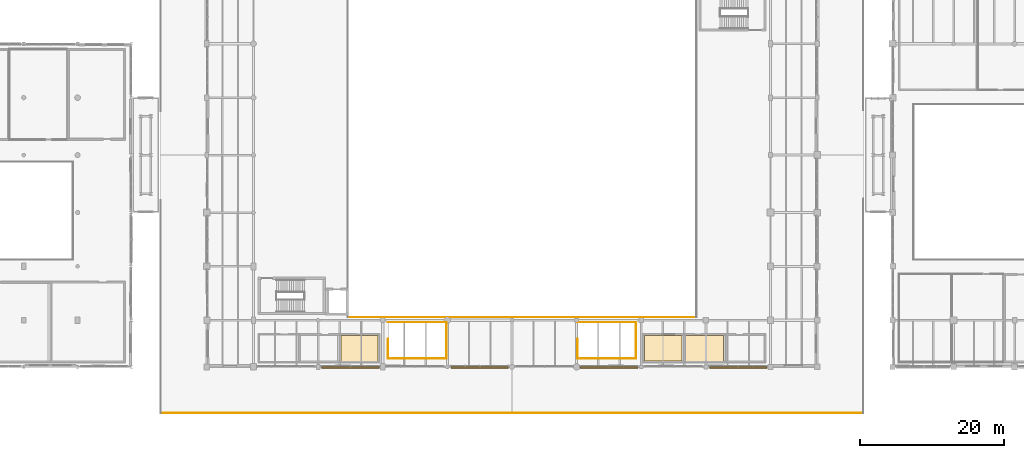
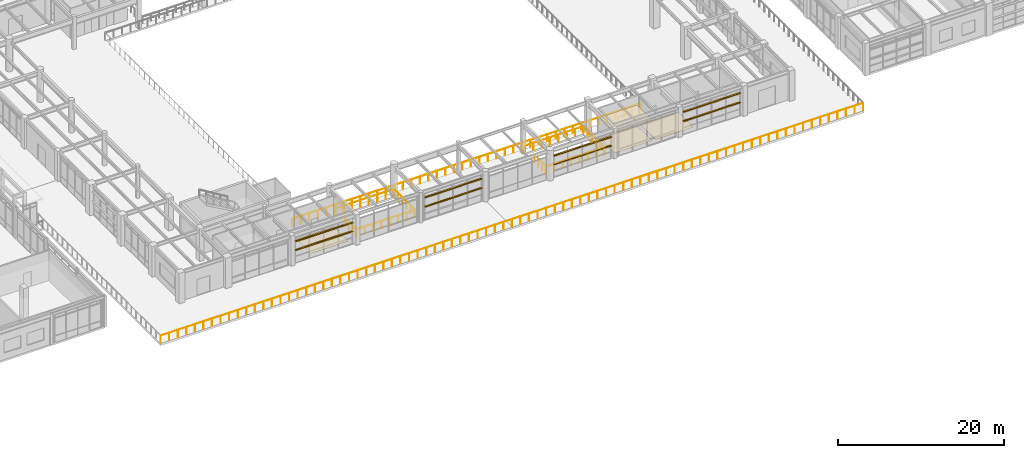
# One storey, part 192 of 200: 10 railings, 8 shading devices, 4 coverings.
"""IFC4 building model written with IfcOpenShell, lengths in metres."""

import ifcopenshell
import ifcopenshell.guid

model = None  # the IFC model being written
_history = None  # IfcOwnerHistory: only IFC2X3 demands one
_inside = {}  # id of a spatial element -> (the spatial element, [elements in it])
_under = {}  # id of a project, library or spatial element -> (it, [spatial elements below it])
_declared = {}  # id of a project -> (the project, [libraries it declares])
_typed = {}  # id of a type object -> (the type object, [elements of that type])
_made_of = {}  # id of a material, layer set ... -> (it, [elements and type objects made of it])


def new_model(schema):
    """Start an empty IFC model of exactly this schema.

    Asked for "IFC4X3", IfcOpenShell would pick the latest addendum, in which some entities
    have other attributes; the version numbers below select the first issue.
    IFC2X3 requires an IfcOwnerHistory on every rooted entity: one is made here for all.
    """
    global model, _history
    if schema == "IFC4X3":
        model = ifcopenshell.file(schema_version=(4, 3, 0, 0))
    else:
        model = ifcopenshell.file(schema=schema)
    _inside.clear()
    _under.clear()
    _declared.clear()
    _typed.clear()
    _made_of.clear()
    _history = None
    if model.schema == "IFC2X3":
        org = make("IfcOrganization", Name="unknown")
        user = make(
            "IfcPersonAndOrganization",
            ThePerson=make("IfcPerson", FamilyName="unknown"),
            TheOrganization=org,
        )
        app = make(
            "IfcApplication",
            ApplicationDeveloper=org,
            Version="unknown",
            ApplicationFullName="unknown",
            ApplicationIdentifier="unknown",
        )
        _history = make(
            "IfcOwnerHistory",
            OwningUser=user,
            OwningApplication=app,
            ChangeAction="ADDED",
            CreationDate=0,
        )
    return model


def make(cls, **values):
    """One entity of the class cls with the attributes given. An attribute that is None is left unset."""
    return model.create_entity(
        cls, **{name: value for name, value in values.items() if value is not None}
    )


def rooted(cls, **values):
    """An entity with a GlobalId (a new one), such as an element, a storey or a relation."""
    return make(cls, GlobalId=ifcopenshell.guid.new(), OwnerHistory=_history, **values)


def si_unit(unit_type, name, prefix=None):
    """IfcSIUnit, for example si_unit("LENGTHUNIT", "METRE", prefix="MILLI")."""
    return make("IfcSIUnit", UnitType=unit_type, Prefix=prefix, Name=name)


def assignment(units):
    """IfcUnitAssignment: the units of a project."""
    return None if units is None else make("IfcUnitAssignment", Units=units)


def point(xyz):
    """IfcCartesianPoint."""
    return None if xyz is None else make("IfcCartesianPoint", Coordinates=xyz)


def direction(xyz):
    """IfcDirection."""
    return None if xyz is None else make("IfcDirection", DirectionRatios=xyz)


def frame(location, z_axis=None, x_axis=None):
    """IfcAxis2Placement3D, a coordinate frame: its origin and axes. An axis left out is left unset."""
    return make(
        "IfcAxis2Placement3D",
        Location=point(location),
        Axis=direction(z_axis),
        RefDirection=direction(x_axis),
    )


def frame_2d(location, x_axis=None):
    """IfcAxis2Placement2D, a coordinate frame in the plane: its origin and x axis."""
    return make(
        "IfcAxis2Placement2D", Location=point(location), RefDirection=direction(x_axis)
    )


def origin():
    """The frame at (0, 0, 0) with its axes left unset."""
    return frame((0.0, 0.0, 0.0))


def origin_2d():
    """The frame at (0, 0) in the plane with its x axis left unset."""
    return frame_2d((0.0, 0.0))


def place(relative_to, where):
    """IfcLocalPlacement: puts the frame where relative to a parent placement (None: the world)."""
    return make(
        "IfcLocalPlacement", PlacementRelTo=relative_to, RelativePlacement=where
    )


def context(
    kind, dimensions, precision=None, world=None, true_north=None, identifier=None
):
    """IfcGeometricRepresentationContext, for example the 3D "Model" context."""
    return make(
        "IfcGeometricRepresentationContext",
        ContextIdentifier=identifier,
        ContextType=kind,
        CoordinateSpaceDimension=dimensions,
        Precision=precision,
        WorldCoordinateSystem=world,
        TrueNorth=true_north,
    )


def subcontext(parent, identifier, kind, view, scale=None):
    """IfcGeometricRepresentationSubContext, for example "Body" below "Model"."""
    return make(
        "IfcGeometricRepresentationSubContext",
        ContextIdentifier=identifier,
        ContextType=kind,
        ParentContext=parent,
        TargetScale=scale,
        TargetView=view,
    )


def project(units=None, contexts=None):
    """IfcProject with its units and contexts."""
    return rooted(
        "IfcProject",
        Name="project",
        RepresentationContexts=contexts,
        UnitsInContext=assignment(units),
    )


def spatial(cls, under=None, at=None, **own):
    """A site, building, storey or space (cls), placed at a placement, below another one or the project."""
    s = rooted(cls, ObjectPlacement=at, **own)
    if under is not None:
        _under.setdefault(under.id(), (under, []))[1].append(s)
    return s


def polyline(points):
    """IfcPolyline through the points."""
    return make("IfcPolyline", Points=[point(p) for p in points])


def profile(cls, at=None, kind="AREA", **sizes):
    """A parametric profile (cls). Its sizes go by their IFC names, for example OverallWidth=200.0."""
    return make(cls, ProfileType=kind, Position=at, **sizes)


def rectangle(**sizes):
    """IfcRectangleProfileDef."""
    return profile("IfcRectangleProfileDef", **sizes)


def circle(**sizes):
    """IfcCircleProfileDef."""
    return profile("IfcCircleProfileDef", **sizes)


def outline(outer, holes=None, kind="AREA"):
    """IfcArbitraryClosedProfileDef: a profile drawn as a closed curve; with holes, ...WithVoids."""
    if holes is None:
        return make("IfcArbitraryClosedProfileDef", ProfileType=kind, OuterCurve=outer)
    return make(
        "IfcArbitraryProfileDefWithVoids",
        ProfileType=kind,
        OuterCurve=outer,
        InnerCurves=holes,
    )


def extrude(swept, where, along, depth):
    """IfcExtrudedAreaSolid: the profile swept, set in the frame where, extruded along a direction by depth."""
    return make(
        "IfcExtrudedAreaSolid",
        SweptArea=swept,
        Position=where,
        ExtrudedDirection=direction(along),
        Depth=depth,
    )


def shape(context_of_items, identifier, shape_type, items):
    """IfcShapeRepresentation: the items that make up one representation, for example the "Body"."""
    return make(
        "IfcShapeRepresentation",
        ContextOfItems=context_of_items,
        RepresentationIdentifier=identifier,
        RepresentationType=shape_type,
        Items=items,
    )


def material(Name=None, Category=None):
    """IfcMaterial."""
    return make("IfcMaterial", Name=Name, Category=Category)


def layer(
    of_material, thickness, ventilated=None, Name=None, Category=None, Priority=None
):
    """IfcMaterialLayer: one layer of a wall or slab, of a material (None: an air gap)."""
    return make(
        "IfcMaterialLayer",
        Material=of_material,
        LayerThickness=thickness,
        IsVentilated=ventilated,
        Name=Name,
        Category=Category,
        Priority=Priority,
    )


def layer_set(layers, Name=None):
    """IfcMaterialLayerSet."""
    return make("IfcMaterialLayerSet", MaterialLayers=layers, LayerSetName=Name)


def made_of(thing, what):
    """Note that an element or type object is made of a material, layer set ...; save() writes the relation."""
    if what is not None:
        _made_of.setdefault(what.id(), (what, []))[1].append(thing)
    return thing


def type_object(cls, material=None, **own):
    """A type object (cls), such as IfcWallType, which elements share."""
    return made_of(rooted(cls, **own), material)


def element(
    cls,
    number,
    at=None,
    inside=None,
    cuts=None,
    type_object=None,
    material=None,
    context=None,
    identifier="Body",
    shape_type=None,
    held_by="IfcProductDefinitionShape",
    body=None,
    shapes=None,
    **own,
):
    """One element of the class cls, such as IfcWall. Its Tag is "e" and its number.

    at: its placement. inside: the storey or other place that contains it. cuts: it is an
    opening in that element (IfcRelVoidsElement). A single representation is given by context,
    identifier, shape_type and body (its items); several are given by shapes. held_by: the class
    of the entity that holds the representations. save() writes the other relations.
    """
    e = rooted(cls, Tag="e%d" % number, ObjectPlacement=at, **own)
    if body is not None:
        shapes = [shape(context, identifier, shape_type, body)]
    if shapes is not None:
        e.Representation = make(held_by, Representations=shapes)
    if inside is not None:
        _inside.setdefault(inside.id(), (inside, []))[1].append(e)
    if cuts is not None:
        rooted(
            "IfcRelVoidsElement", RelatingBuildingElement=cuts, RelatedOpeningElement=e
        )
    if type_object is not None:
        _typed.setdefault(type_object.id(), (type_object, []))[1].append(e)
    return made_of(e, material)


def aggregate(whole, parts):
    """IfcRelAggregates: a whole, such as a stair, and the parts it consists of."""
    return rooted("IfcRelAggregates", RelatingObject=whole, RelatedObjects=parts)


def save(model, path):
    """Write the relations noted so far, then the file.

    IfcRelAggregates (storeys below a building ...), IfcRelContainedInSpatialStructure (elements
    in a storey), IfcRelDefinesByType, IfcRelAssociatesMaterial and IfcRelDeclares: one each for
    every whole, place, type object, material and project.
    """
    for whole, parts in _under.values():
        aggregate(whole, parts)
    for where, things in _inside.values():
        rooted(
            "IfcRelContainedInSpatialStructure",
            RelatedElements=things,
            RelatingStructure=where,
        )
    for kind, things in _typed.values():
        rooted("IfcRelDefinesByType", RelatedObjects=things, RelatingType=kind)
    for what, things in _made_of.values():
        rooted("IfcRelAssociatesMaterial", RelatedObjects=things, RelatingMaterial=what)
    for by, libraries in _declared.values():
        rooted("IfcRelDeclares", RelatingContext=by, RelatedDefinitions=libraries)
    model.write(path)


model = new_model("IFC4")

# Units and contexts
model_context = context("Model", 3, precision=1e-05, world=origin(), true_north=direction((0.0, 1.0)))
body_context = subcontext(model_context, "Body", "Model", "MODEL_VIEW")
ifc_project = project(units=[si_unit("LENGTHUNIT", "METRE"), si_unit("AREAUNIT", "SQUARE_METRE"), si_unit("VOLUMEUNIT", "CUBIC_METRE"), si_unit("PLANEANGLEUNIT", "RADIAN"), si_unit("MASSUNIT", "GRAM", prefix="KILO"), si_unit("THERMODYNAMICTEMPERATUREUNIT", "KELVIN"), si_unit("POWERUNIT", "WATT")], contexts=[model_context])

# Site, building, storey
site_placement = place(None, origin())
site = spatial("IfcSite", under=ifc_project, at=site_placement, CompositionType="ELEMENT")
building_placement = place(site_placement, origin())
building = spatial("IfcBuilding", under=site, at=building_placement, Name="Tepalcoro Natatorium and Aquatics Centre", CompositionType="ELEMENT")
storey_placement = place(building_placement, frame((0.0, 0.0, 5.39990234375)))
storey = spatial("IfcBuildingStorey", under=building, at=storey_placement, Name="L01", CompositionType="ELEMENT", Elevation=5.39990234375)

# Railing
ifc_material_1 = material(Name="Marine-Grade Brushed Stainless Steel AISI 316L", Category="steel")
railing_type_1 = type_object("IfcRailingType", Name="BL_GLASS_1100", PredefinedType="BALUSTRADE", material=ifc_material_1)
railing_1_placement = place(storey_placement, frame((66.1201171875, 13.419921875, 0.0)))
element("IfcRailing", 1, at=railing_1_placement, inside=storey, type_object=railing_type_1, Name="V1 L01 Natatorium Pool Hall Overlook Balustrade (S)", PredefinedType="BALUSTRADE", context=body_context, shape_type="SweptSolid", body=[
    extrude(circle(Radius=0.02392578125, at=origin_2d()), frame((0.0, 0.0, 1.09619140625), z_axis=(1.0, 0.0, 0.0), x_axis=(0.0, 1.0, 0.0)), (0.0, 0.0, 1.0), 48.559814453125),
    extrude(circle(Radius=0.02099609375, at=origin_2d()), origin(), (0.0, 0.0, 1.0), 1.072021484375),
    extrude(circle(Radius=0.02099609375, at=origin_2d()), frame((1.184326171875, 0.0, 0.0)), (0.0, 0.0, 1.0), 1.072021484375),
    extrude(circle(Radius=0.02099609375, at=origin_2d()), frame((2.36865234375, 0.0, 0.0)), (0.0, 0.0, 1.0), 1.072021484375),
    extrude(circle(Radius=0.02099609375, at=origin_2d()), frame((3.55322265625, 0.0, 0.0)), (0.0, 0.0, 1.0), 1.072021484375),
    extrude(circle(Radius=0.02099609375, at=origin_2d()), frame((4.737548828125, 0.0, 0.0)), (0.0, 0.0, 1.0), 1.072021484375),
    extrude(circle(Radius=0.02099609375, at=origin_2d()), frame((5.921875, 0.0, 0.0)), (0.0, 0.0, 1.0), 1.072021484375),
    extrude(circle(Radius=0.02099609375, at=origin_2d()), frame((7.106201171875, 0.0, 0.0)), (0.0, 0.0, 1.0), 1.072021484375),
    extrude(circle(Radius=0.02099609375, at=origin_2d()), frame((8.290771484375, 0.0, 0.0)), (0.0, 0.0, 1.0), 1.072021484375),
    extrude(circle(Radius=0.02099609375, at=origin_2d()), frame((9.47509765625, 0.0, 0.0)), (0.0, 0.0, 1.0), 1.072021484375),
    extrude(circle(Radius=0.02099609375, at=origin_2d()), frame((10.659423828125, 0.0, 0.0)), (0.0, 0.0, 1.0), 1.072021484375),
    extrude(circle(Radius=0.02099609375, at=origin_2d()), frame((11.84375, 0.0, 0.0)), (0.0, 0.0, 1.0), 1.072021484375),
    extrude(circle(Radius=0.02099609375, at=origin_2d()), frame((13.0283203125, 0.0, 0.0)), (0.0, 0.0, 1.0), 1.072021484375),
    extrude(circle(Radius=0.02099609375, at=origin_2d()), frame((14.212646484375, 0.0, 0.0)), (0.0, 0.0, 1.0), 1.072021484375),
    extrude(circle(Radius=0.02099609375, at=origin_2d()), frame((15.39697265625, 0.0, 0.0)), (0.0, 0.0, 1.0), 1.072021484375),
    extrude(circle(Radius=0.02099609375, at=origin_2d()), frame((16.581298828125, 0.0, 0.0)), (0.0, 0.0, 1.0), 1.072021484375),
    extrude(circle(Radius=0.02099609375, at=origin_2d()), frame((17.765869140625, 0.0, 0.0)), (0.0, 0.0, 1.0), 1.072021484375),
    extrude(circle(Radius=0.02099609375, at=origin_2d()), frame((18.9501953125, 0.0, 0.0)), (0.0, 0.0, 1.0), 1.072021484375),
    extrude(circle(Radius=0.02099609375, at=origin_2d()), frame((20.134521484375, 0.0, 0.0)), (0.0, 0.0, 1.0), 1.072021484375),
    extrude(circle(Radius=0.02099609375, at=origin_2d()), frame((21.31884765625, 0.0, 0.0)), (0.0, 0.0, 1.0), 1.072021484375),
    extrude(circle(Radius=0.02099609375, at=origin_2d()), frame((22.50341796875, 0.0, 0.0)), (0.0, 0.0, 1.0), 1.072021484375),
    extrude(circle(Radius=0.02099609375, at=origin_2d()), frame((23.687744140625, 0.0, 0.0)), (0.0, 0.0, 1.0), 1.072021484375),
    extrude(circle(Radius=0.02099609375, at=origin_2d()), frame((24.8720703125, 0.0, 0.0)), (0.0, 0.0, 1.0), 1.072021484375),
    extrude(circle(Radius=0.02099609375, at=origin_2d()), frame((26.056396484375, 0.0, 0.0)), (0.0, 0.0, 1.0), 1.072021484375),
    extrude(circle(Radius=0.02099609375, at=origin_2d()), frame((27.240966796875, 0.0, 0.0)), (0.0, 0.0, 1.0), 1.072021484375),
    extrude(circle(Radius=0.02099609375, at=origin_2d()), frame((28.42529296875, 0.0, 0.0)), (0.0, 0.0, 1.0), 1.072021484375),
    extrude(circle(Radius=0.02099609375, at=origin_2d()), frame((29.609619140625, 0.0, 0.0)), (0.0, 0.0, 1.0), 1.072021484375),
    extrude(circle(Radius=0.02099609375, at=origin_2d()), frame((30.7939453125, 0.0, 0.0)), (0.0, 0.0, 1.0), 1.072021484375),
    extrude(circle(Radius=0.02099609375, at=origin_2d()), frame((31.978515625, 0.0, 0.0)), (0.0, 0.0, 1.0), 1.072021484375),
    extrude(circle(Radius=0.02099609375, at=origin_2d()), frame((33.162841796875, 0.0, 0.0)), (0.0, 0.0, 1.0), 1.072021484375),
    extrude(circle(Radius=0.02099609375, at=origin_2d()), frame((34.34716796875, 0.0, 0.0)), (0.0, 0.0, 1.0), 1.072021484375),
    extrude(circle(Radius=0.02099609375, at=origin_2d()), frame((35.531494140625, 0.0, 0.0)), (0.0, 0.0, 1.0), 1.072021484375),
    extrude(circle(Radius=0.02099609375, at=origin_2d()), frame((36.716064453125, 0.0, 0.0)), (0.0, 0.0, 1.0), 1.072021484375),
    extrude(circle(Radius=0.02099609375, at=origin_2d()), frame((37.900390625, 0.0, 0.0)), (0.0, 0.0, 1.0), 1.072021484375),
    extrude(circle(Radius=0.02099609375, at=origin_2d()), frame((39.084716796875, 0.0, 0.0)), (0.0, 0.0, 1.0), 1.072021484375),
    extrude(circle(Radius=0.02099609375, at=origin_2d()), frame((40.26904296875, 0.0, 0.0)), (0.0, 0.0, 1.0), 1.072021484375),
    extrude(circle(Radius=0.02099609375, at=origin_2d()), frame((41.45361328125, 0.0, 0.0)), (0.0, 0.0, 1.0), 1.072021484375),
    extrude(circle(Radius=0.02099609375, at=origin_2d()), frame((42.637939453125, 0.0, 0.0)), (0.0, 0.0, 1.0), 1.072021484375),
    extrude(circle(Radius=0.02099609375, at=origin_2d()), frame((43.822265625, 0.0, 0.0)), (0.0, 0.0, 1.0), 1.072021484375),
    extrude(circle(Radius=0.02099609375, at=origin_2d()), frame((45.006591796875, 0.0, 0.0)), (0.0, 0.0, 1.0), 1.072021484375),
    extrude(circle(Radius=0.02099609375, at=origin_2d()), frame((46.191162109375, 0.0, 0.0)), (0.0, 0.0, 1.0), 1.072021484375),
    extrude(circle(Radius=0.02099609375, at=origin_2d()), frame((47.37548828125, 0.0, 0.0)), (0.0, 0.0, 1.0), 1.072021484375),
    extrude(circle(Radius=0.02099609375, at=origin_2d()), frame((48.559814453125, 0.0, 0.0)), (0.0, 0.0, 1.0), 1.072021484375),
])

# Coverings
ifc_material_2 = material(Name="Perforated Corrosion-Resistant Acoustic Aluminium Baffle Ceiling", Category="aluminium")
ifc_layer_1 = layer(ifc_material_2, 0.0400390625)
ifc_layer_set_1 = layer_set([ifc_layer_1], Name="Perforated Corrosion-Resistant Acoustic Aluminium Baffle Ceiling")
covering_type_1 = type_object("IfcCoveringType", Name="CL_PERF_AL_40", PredefinedType="CEILING", material=ifc_layer_set_1)
covering_1_placement = place(storey_placement, frame((0.0, 0.0, 3.050048828125)))
element("IfcCovering", 2, at=covering_1_placement, inside=storey, type_object=covering_type_1, Name="VIP Presidential Hospitality Box & Viewing Lounge Suspended Ceiling", PredefinedType="CEILING", context=body_context, shape_type="SweptSolid", body=[
    extrude(outline(polyline([(107.43505859375, 7.294921875), (107.43505859375, 10.905029296875), (112.697998046875, 10.905029296875), (112.697998046875, 7.294921875), (107.43505859375, 7.294921875)])), origin(), (0.0, 0.0, 1.0), 0.0400390625),
])
ifc_material_3 = material(Name="Shock-Absorbing Vulcanised Athletic Rubber Flooring")
ifc_layer_2 = layer(ifc_material_3, 0.010009765625)
ifc_layer_set_2 = layer_set([ifc_layer_2], Name="Shock-Absorbing Vulcanised Athletic Rubber Flooring")
covering_type_2 = type_object("IfcCoveringType", Name="FL_CARPET_10", PredefinedType="FLOORING", material=ifc_layer_set_2)
covering_2_placement = place(storey_placement, origin())
element("IfcCovering", 3, at=covering_2_placement, inside=storey, type_object=covering_type_2, Name="Spectator Male & Female Toilets SE Floor Finish", PredefinedType="FLOORING", context=body_context, shape_type="SweptSolid", body=[
    extrude(outline(polyline([(113.1630859375, 7.2900390625), (113.1630859375, 10.909912109375), (118.43701171875, 10.909912109375), (118.43701171875, 7.2900390625), (113.1630859375, 7.2900390625)])), origin(), (0.0, 0.0, 1.0), 0.010009765625),
])
ifc_material_4 = material(Name="Chemical-Resistant Quartz-Broadcast Epoxy Flooring")
ifc_layer_3 = layer(ifc_material_4, 0.008056640625)
ifc_layer_set_3 = layer_set([ifc_layer_3], Name="Chemical-Resistant Quartz-Broadcast Epoxy Flooring")
covering_type_3 = type_object("IfcCoveringType", Name="FL_EPOXY_8", PredefinedType="FLOORING", material=ifc_layer_set_3)
covering_3_placement = place(storey_placement, origin())
element("IfcCovering", 4, at=covering_3_placement, inside=storey, type_object=covering_type_3, Name="VIP Presidential Hospitality Box & Viewing Lounge Floor Finish", PredefinedType="FLOORING", context=body_context, shape_type="SweptSolid", body=[
    extrude(outline(polyline([(107.43505859375, 7.294921875), (107.43505859375, 10.905029296875), (112.697998046875, 10.905029296875), (112.697998046875, 7.294921875), (107.43505859375, 7.294921875)])), origin(), (0.0, 0.0, 1.0), 0.008056640625),
])
ifc_material_5 = material(Name="Polished Jalisco Basalt Aggregate Terrazzo Flooring", Category="masonry")
ifc_layer_4 = layer(ifc_material_5, 0.028076171875)
ifc_layer_set_4 = layer_set([ifc_layer_4], Name="Polished Jalisco Basalt Aggregate Terrazzo Flooring")
covering_type_4 = type_object("IfcCoveringType", Name="FL_TERRAZZO_25", PredefinedType="FLOORING", material=ifc_layer_set_4)
covering_4_placement = place(storey_placement, origin())
element("IfcCovering", 5, at=covering_4_placement, inside=storey, type_object=covering_type_4, Name="Spectator Accessible WC SW Floor Finish", PredefinedType="FLOORING", context=body_context, shape_type="SweptSolid", body=[
    extrude(outline(polyline([(65.1630859375, 7.2900390625), (65.1630859375, 10.909912109375), (70.3701171875, 10.909912109375), (70.3701171875, 7.2900390625), (65.1630859375, 7.2900390625)])), origin(), (0.0, 0.0, 1.0), 0.028076171875),
])

# Railings
railing_type_2 = type_object("IfcRailingType", Name="RL_PERF_1100", PredefinedType="GUARDRAIL", material=ifc_material_1)
railing_2_placement = place(storey_placement, frame((40.080078125, 0.080078125, 0.0)))
element("IfcRailing", 6, at=railing_2_placement, inside=storey, type_object=railing_type_2, Name="V1 L01 Planted Terrace Perimeter Guardrail (S)", PredefinedType="GUARDRAIL", context=body_context, shape_type="SweptSolid", body=[
    extrude(circle(Radius=0.02392578125, at=origin_2d()), frame((0.0, 0.0, 1.11572265625), z_axis=(1.0, 0.0, 0.0), x_axis=(0.0, 1.0, 0.0)), (0.0, 0.0, 1.0), 97.83984375),
    extrude(circle(Radius=0.02099609375, at=origin_2d()), origin(), (0.0, 0.0, 1.0), 1.091796875),
    extrude(circle(Radius=0.02099609375, at=origin_2d()), frame((1.193115234375, 0.0, 0.0)), (0.0, 0.0, 1.0), 1.091796875),
    extrude(circle(Radius=0.02099609375, at=origin_2d()), frame((2.38623046875, 0.0, 0.0)), (0.0, 0.0, 1.0), 1.091796875),
    extrude(circle(Radius=0.02099609375, at=origin_2d()), frame((3.57958984375, 0.0, 0.0)), (0.0, 0.0, 1.0), 1.091796875),
    extrude(circle(Radius=0.02099609375, at=origin_2d()), frame((4.772705078125, 0.0, 0.0)), (0.0, 0.0, 1.0), 1.091796875),
    extrude(circle(Radius=0.02099609375, at=origin_2d()), frame((5.9658203125, 0.0, 0.0)), (0.0, 0.0, 1.0), 1.091796875),
    extrude(circle(Radius=0.02099609375, at=origin_2d()), frame((7.158935546875, 0.0, 0.0)), (0.0, 0.0, 1.0), 1.091796875),
    extrude(circle(Radius=0.02099609375, at=origin_2d()), frame((8.352294921875, 0.0, 0.0)), (0.0, 0.0, 1.0), 1.091796875),
    extrude(circle(Radius=0.02099609375, at=origin_2d()), frame((9.54541015625, 0.0, 0.0)), (0.0, 0.0, 1.0), 1.091796875),
    extrude(circle(Radius=0.02099609375, at=origin_2d()), frame((10.738525390625, 0.0, 0.0)), (0.0, 0.0, 1.0), 1.091796875),
    extrude(circle(Radius=0.02099609375, at=origin_2d()), frame((11.931640625, 0.0, 0.0)), (0.0, 0.0, 1.0), 1.091796875),
    extrude(circle(Radius=0.02099609375, at=origin_2d()), frame((13.124755859375, 0.0, 0.0)), (0.0, 0.0, 1.0), 1.091796875),
    extrude(circle(Radius=0.02099609375, at=origin_2d()), frame((14.318115234375, 0.0, 0.0)), (0.0, 0.0, 1.0), 1.091796875),
    extrude(circle(Radius=0.02099609375, at=origin_2d()), frame((15.51123046875, 0.0, 0.0)), (0.0, 0.0, 1.0), 1.091796875),
    extrude(circle(Radius=0.02099609375, at=origin_2d()), frame((16.704345703125, 0.0, 0.0)), (0.0, 0.0, 1.0), 1.091796875),
    extrude(circle(Radius=0.02099609375, at=origin_2d()), frame((17.8974609375, 0.0, 0.0)), (0.0, 0.0, 1.0), 1.091796875),
    extrude(circle(Radius=0.02099609375, at=origin_2d()), frame((19.0908203125, 0.0, 0.0)), (0.0, 0.0, 1.0), 1.091796875),
    extrude(circle(Radius=0.02099609375, at=origin_2d()), frame((20.283935546875, 0.0, 0.0)), (0.0, 0.0, 1.0), 1.091796875),
    extrude(circle(Radius=0.02099609375, at=origin_2d()), frame((21.47705078125, 0.0, 0.0)), (0.0, 0.0, 1.0), 1.091796875),
    extrude(circle(Radius=0.02099609375, at=origin_2d()), frame((22.670166015625, 0.0, 0.0)), (0.0, 0.0, 1.0), 1.091796875),
    extrude(circle(Radius=0.02099609375, at=origin_2d()), frame((23.86328125, 0.0, 0.0)), (0.0, 0.0, 1.0), 1.091796875),
    extrude(circle(Radius=0.02099609375, at=origin_2d()), frame((25.056640625, 0.0, 0.0)), (0.0, 0.0, 1.0), 1.091796875),
    extrude(circle(Radius=0.02099609375, at=origin_2d()), frame((26.249755859375, 0.0, 0.0)), (0.0, 0.0, 1.0), 1.091796875),
    extrude(circle(Radius=0.02099609375, at=origin_2d()), frame((27.44287109375, 0.0, 0.0)), (0.0, 0.0, 1.0), 1.091796875),
    extrude(circle(Radius=0.02099609375, at=origin_2d()), frame((28.635986328125, 0.0, 0.0)), (0.0, 0.0, 1.0), 1.091796875),
    extrude(circle(Radius=0.02099609375, at=origin_2d()), frame((29.8291015625, 0.0, 0.0)), (0.0, 0.0, 1.0), 1.091796875),
    extrude(circle(Radius=0.02099609375, at=origin_2d()), frame((31.0224609375, 0.0, 0.0)), (0.0, 0.0, 1.0), 1.091796875),
    extrude(circle(Radius=0.02099609375, at=origin_2d()), frame((32.215576171875, 0.0, 0.0)), (0.0, 0.0, 1.0), 1.091796875),
    extrude(circle(Radius=0.02099609375, at=origin_2d()), frame((33.40869140625, 0.0, 0.0)), (0.0, 0.0, 1.0), 1.091796875),
    extrude(circle(Radius=0.02099609375, at=origin_2d()), frame((34.601806640625, 0.0, 0.0)), (0.0, 0.0, 1.0), 1.091796875),
    extrude(circle(Radius=0.02099609375, at=origin_2d()), frame((35.795166015625, 0.0, 0.0)), (0.0, 0.0, 1.0), 1.091796875),
    extrude(circle(Radius=0.02099609375, at=origin_2d()), frame((36.98828125, 0.0, 0.0)), (0.0, 0.0, 1.0), 1.091796875),
    extrude(circle(Radius=0.02099609375, at=origin_2d()), frame((38.181396484375, 0.0, 0.0)), (0.0, 0.0, 1.0), 1.091796875),
    extrude(circle(Radius=0.02099609375, at=origin_2d()), frame((39.37451171875, 0.0, 0.0)), (0.0, 0.0, 1.0), 1.091796875),
    extrude(circle(Radius=0.02099609375, at=origin_2d()), frame((40.567626953125, 0.0, 0.0)), (0.0, 0.0, 1.0), 1.091796875),
    extrude(circle(Radius=0.02099609375, at=origin_2d()), frame((41.760986328125, 0.0, 0.0)), (0.0, 0.0, 1.0), 1.091796875),
    extrude(circle(Radius=0.02099609375, at=origin_2d()), frame((42.9541015625, 0.0, 0.0)), (0.0, 0.0, 1.0), 1.091796875),
    extrude(circle(Radius=0.02099609375, at=origin_2d()), frame((44.147216796875, 0.0, 0.0)), (0.0, 0.0, 1.0), 1.091796875),
    extrude(circle(Radius=0.02099609375, at=origin_2d()), frame((45.34033203125, 0.0, 0.0)), (0.0, 0.0, 1.0), 1.091796875),
    extrude(circle(Radius=0.02099609375, at=origin_2d()), frame((46.53369140625, 0.0, 0.0)), (0.0, 0.0, 1.0), 1.091796875),
    extrude(circle(Radius=0.02099609375, at=origin_2d()), frame((47.726806640625, 0.0, 0.0)), (0.0, 0.0, 1.0), 1.091796875),
    extrude(circle(Radius=0.02099609375, at=origin_2d()), frame((48.919921875, 0.0, 0.0)), (0.0, 0.0, 1.0), 1.091796875),
    extrude(circle(Radius=0.02099609375, at=origin_2d()), frame((50.113037109375, 0.0, 0.0)), (0.0, 0.0, 1.0), 1.091796875),
    extrude(circle(Radius=0.02099609375, at=origin_2d()), frame((51.30615234375, 0.0, 0.0)), (0.0, 0.0, 1.0), 1.091796875),
    extrude(circle(Radius=0.02099609375, at=origin_2d()), frame((52.49951171875, 0.0, 0.0)), (0.0, 0.0, 1.0), 1.091796875),
    extrude(circle(Radius=0.02099609375, at=origin_2d()), frame((53.692626953125, 0.0, 0.0)), (0.0, 0.0, 1.0), 1.091796875),
    extrude(circle(Radius=0.02099609375, at=origin_2d()), frame((54.8857421875, 0.0, 0.0)), (0.0, 0.0, 1.0), 1.091796875),
    extrude(circle(Radius=0.02099609375, at=origin_2d()), frame((56.078857421875, 0.0, 0.0)), (0.0, 0.0, 1.0), 1.091796875),
    extrude(circle(Radius=0.02099609375, at=origin_2d()), frame((57.272216796875, 0.0, 0.0)), (0.0, 0.0, 1.0), 1.091796875),
    extrude(circle(Radius=0.02099609375, at=origin_2d()), frame((58.46533203125, 0.0, 0.0)), (0.0, 0.0, 1.0), 1.091796875),
    extrude(circle(Radius=0.02099609375, at=origin_2d()), frame((59.658447265625, 0.0, 0.0)), (0.0, 0.0, 1.0), 1.091796875),
    extrude(circle(Radius=0.02099609375, at=origin_2d()), frame((60.8515625, 0.0, 0.0)), (0.0, 0.0, 1.0), 1.091796875),
    extrude(circle(Radius=0.02099609375, at=origin_2d()), frame((62.044677734375, 0.0, 0.0)), (0.0, 0.0, 1.0), 1.091796875),
    extrude(circle(Radius=0.02099609375, at=origin_2d()), frame((63.238037109375, 0.0, 0.0)), (0.0, 0.0, 1.0), 1.091796875),
    extrude(circle(Radius=0.02099609375, at=origin_2d()), frame((64.43115234375, 0.0, 0.0)), (0.0, 0.0, 1.0), 1.091796875),
    extrude(circle(Radius=0.02099609375, at=origin_2d()), frame((65.624267578125, 0.0, 0.0)), (0.0, 0.0, 1.0), 1.091796875),
    extrude(circle(Radius=0.02099609375, at=origin_2d()), frame((66.8173828125, 0.0, 0.0)), (0.0, 0.0, 1.0), 1.091796875),
    extrude(circle(Radius=0.02099609375, at=origin_2d()), frame((68.0107421875, 0.0, 0.0)), (0.0, 0.0, 1.0), 1.091796875),
    extrude(circle(Radius=0.02099609375, at=origin_2d()), frame((69.203857421875, 0.0, 0.0)), (0.0, 0.0, 1.0), 1.091796875),
    extrude(circle(Radius=0.02099609375, at=origin_2d()), frame((70.39697265625, 0.0, 0.0)), (0.0, 0.0, 1.0), 1.091796875),
    extrude(circle(Radius=0.02099609375, at=origin_2d()), frame((71.590087890625, 0.0, 0.0)), (0.0, 0.0, 1.0), 1.091796875),
    extrude(circle(Radius=0.02099609375, at=origin_2d()), frame((72.783203125, 0.0, 0.0)), (0.0, 0.0, 1.0), 1.091796875),
    extrude(circle(Radius=0.02099609375, at=origin_2d()), frame((73.9765625, 0.0, 0.0)), (0.0, 0.0, 1.0), 1.091796875),
    extrude(circle(Radius=0.02099609375, at=origin_2d()), frame((75.169677734375, 0.0, 0.0)), (0.0, 0.0, 1.0), 1.091796875),
    extrude(circle(Radius=0.02099609375, at=origin_2d()), frame((76.36279296875, 0.0, 0.0)), (0.0, 0.0, 1.0), 1.091796875),
    extrude(circle(Radius=0.02099609375, at=origin_2d()), frame((77.555908203125, 0.0, 0.0)), (0.0, 0.0, 1.0), 1.091796875),
    extrude(circle(Radius=0.02099609375, at=origin_2d()), frame((78.7490234375, 0.0, 0.0)), (0.0, 0.0, 1.0), 1.091796875),
    extrude(circle(Radius=0.02099609375, at=origin_2d()), frame((79.9423828125, 0.0, 0.0)), (0.0, 0.0, 1.0), 1.091796875),
    extrude(circle(Radius=0.02099609375, at=origin_2d()), frame((81.135498046875, 0.0, 0.0)), (0.0, 0.0, 1.0), 1.091796875),
    extrude(circle(Radius=0.02099609375, at=origin_2d()), frame((82.32861328125, 0.0, 0.0)), (0.0, 0.0, 1.0), 1.091796875),
    extrude(circle(Radius=0.02099609375, at=origin_2d()), frame((83.521728515625, 0.0, 0.0)), (0.0, 0.0, 1.0), 1.091796875),
    extrude(circle(Radius=0.02099609375, at=origin_2d()), frame((84.715087890625, 0.0, 0.0)), (0.0, 0.0, 1.0), 1.091796875),
    extrude(circle(Radius=0.02099609375, at=origin_2d()), frame((85.908203125, 0.0, 0.0)), (0.0, 0.0, 1.0), 1.091796875),
    extrude(circle(Radius=0.02099609375, at=origin_2d()), frame((87.101318359375, 0.0, 0.0)), (0.0, 0.0, 1.0), 1.091796875),
    extrude(circle(Radius=0.02099609375, at=origin_2d()), frame((88.29443359375, 0.0, 0.0)), (0.0, 0.0, 1.0), 1.091796875),
    extrude(circle(Radius=0.02099609375, at=origin_2d()), frame((89.487548828125, 0.0, 0.0)), (0.0, 0.0, 1.0), 1.091796875),
    extrude(circle(Radius=0.02099609375, at=origin_2d()), frame((90.680908203125, 0.0, 0.0)), (0.0, 0.0, 1.0), 1.091796875),
    extrude(circle(Radius=0.02099609375, at=origin_2d()), frame((91.8740234375, 0.0, 0.0)), (0.0, 0.0, 1.0), 1.091796875),
    extrude(circle(Radius=0.02099609375, at=origin_2d()), frame((93.067138671875, 0.0, 0.0)), (0.0, 0.0, 1.0), 1.091796875),
    extrude(circle(Radius=0.02099609375, at=origin_2d()), frame((94.26025390625, 0.0, 0.0)), (0.0, 0.0, 1.0), 1.091796875),
    extrude(circle(Radius=0.02099609375, at=origin_2d()), frame((95.45361328125, 0.0, 0.0)), (0.0, 0.0, 1.0), 1.091796875),
    extrude(circle(Radius=0.02099609375, at=origin_2d()), frame((96.646728515625, 0.0, 0.0)), (0.0, 0.0, 1.0), 1.091796875),
    extrude(circle(Radius=0.02099609375, at=origin_2d()), frame((97.83984375, 0.0, 0.0)), (0.0, 0.0, 1.0), 1.091796875),
])
railing_type_3 = type_object("IfcRailingType", Name="RL_SS_1100", PredefinedType="GUARDRAIL", material=ifc_material_1)
railing_3_placement = place(storey_placement, frame((71.719970703125, 7.669921875, 0.0)))
element("IfcRailing", 7, at=railing_3_placement, inside=storey, type_object=railing_type_3, Name="Spectator Vomitory Well Guard 1 (S)", PredefinedType="GUARDRAIL", context=body_context, shape_type="SweptSolid", body=[
    extrude(circle(Radius=0.02392578125, at=origin_2d()), frame((0.0, 0.0, 1.076171875), z_axis=(1.0, 0.0, 0.0), x_axis=(0.0, 1.0, 0.0)), (0.0, 0.0, 1.0), 8.159912109375),
    extrude(circle(Radius=0.02099609375, at=origin_2d()), origin(), (0.0, 0.0, 1.0), 1.052001953125),
    extrude(circle(Radius=0.02099609375, at=origin_2d()), frame((1.165771484375, 0.0, 0.0)), (0.0, 0.0, 1.0), 1.052001953125),
    extrude(circle(Radius=0.02099609375, at=origin_2d()), frame((2.331298828125, 0.0, 0.0)), (0.0, 0.0, 1.0), 1.052001953125),
    extrude(circle(Radius=0.02099609375, at=origin_2d()), frame((3.4970703125, 0.0, 0.0)), (0.0, 0.0, 1.0), 1.052001953125),
    extrude(circle(Radius=0.02099609375, at=origin_2d()), frame((4.662841796875, 0.0, 0.0)), (0.0, 0.0, 1.0), 1.052001953125),
    extrude(circle(Radius=0.02099609375, at=origin_2d()), frame((5.82861328125, 0.0, 0.0)), (0.0, 0.0, 1.0), 1.052001953125),
    extrude(circle(Radius=0.02099609375, at=origin_2d()), frame((6.994140625, 0.0, 0.0)), (0.0, 0.0, 1.0), 1.052001953125),
    extrude(circle(Radius=0.02099609375, at=origin_2d()), frame((8.159912109375, 0.0, 0.0)), (0.0, 0.0, 1.0), 1.052001953125),
])
railing_4_placement = place(storey_placement, frame((79.8798828125, 7.669921875, 0.0)))
element("IfcRailing", 8, at=railing_4_placement, inside=storey, type_object=railing_type_3, Name="Spectator Vomitory Well Guard 1 (E)", PredefinedType="GUARDRAIL", context=body_context, shape_type="SweptSolid", body=[
    extrude(circle(Radius=0.02392578125, at=origin_2d()), frame((0.0, 0.0, 1.076171875), z_axis=(0.0, 1.0, 0.0), x_axis=(-1.0, 0.0, 0.0)), (0.0, 0.0, 1.0), 5.06005859375),
    extrude(circle(Radius=0.02099609375, at=origin_2d()), origin(), (0.0, 0.0, 1.0), 1.052001953125),
    extrude(circle(Radius=0.02099609375, at=origin_2d()), frame((0.0, 1.011962890625, 0.0)), (0.0, 0.0, 1.0), 1.052001953125),
    extrude(circle(Radius=0.02099609375, at=origin_2d()), frame((0.0, 2.02392578125, 0.0)), (0.0, 0.0, 1.0), 1.052001953125),
    extrude(circle(Radius=0.02099609375, at=origin_2d()), frame((0.0, 3.0361328125, 0.0)), (0.0, 0.0, 1.0), 1.052001953125),
    extrude(circle(Radius=0.02099609375, at=origin_2d()), frame((0.0, 4.048095703125, 0.0)), (0.0, 0.0, 1.0), 1.052001953125),
    extrude(circle(Radius=0.02099609375, at=origin_2d()), frame((0.0, 5.06005859375, 0.0)), (0.0, 0.0, 1.0), 1.052001953125),
])
railing_5_placement = place(storey_placement, frame((79.8798828125, 12.72998046875, 0.0)))
element("IfcRailing", 9, at=railing_5_placement, inside=storey, type_object=railing_type_3, Name="Spectator Vomitory Well Guard 1 (N)", PredefinedType="GUARDRAIL", context=body_context, shape_type="SweptSolid", body=[
    extrude(circle(Radius=0.02392578125, at=origin_2d()), frame((0.0, 0.0, 1.076171875), z_axis=(-1.0, 0.0, 0.0), x_axis=(0.0, -1.0, 0.0)), (0.0, 0.0, 1.0), 8.159912109375),
    extrude(circle(Radius=0.02099609375, at=origin_2d()), origin(), (0.0, 0.0, 1.0), 1.052001953125),
    extrude(circle(Radius=0.02099609375, at=origin_2d()), frame((-1.165771484375, 0.0, 0.0)), (0.0, 0.0, 1.0), 1.052001953125),
    extrude(circle(Radius=0.02099609375, at=origin_2d()), frame((-2.331298828125, 0.0, 0.0)), (0.0, 0.0, 1.0), 1.052001953125),
    extrude(circle(Radius=0.02099609375, at=origin_2d()), frame((-3.4970703125, 0.0, 0.0)), (0.0, 0.0, 1.0), 1.052001953125),
    extrude(circle(Radius=0.02099609375, at=origin_2d()), frame((-4.662841796875, 0.0, 0.0)), (0.0, 0.0, 1.0), 1.052001953125),
    extrude(circle(Radius=0.02099609375, at=origin_2d()), frame((-5.82861328125, 0.0, 0.0)), (0.0, 0.0, 1.0), 1.052001953125),
    extrude(circle(Radius=0.02099609375, at=origin_2d()), frame((-6.994140625, 0.0, 0.0)), (0.0, 0.0, 1.0), 1.052001953125),
    extrude(circle(Radius=0.02099609375, at=origin_2d()), frame((-8.159912109375, 0.0, 0.0)), (0.0, 0.0, 1.0), 1.052001953125),
])
railing_6_placement = place(storey_placement, frame((71.719970703125, 10.3798828125, 0.0)))
element("IfcRailing", 10, at=railing_6_placement, inside=storey, type_object=railing_type_3, Name="Spectator Vomitory Well Guard 1 (W-1)", PredefinedType="GUARDRAIL", context=body_context, shape_type="SweptSolid", body=[
    extrude(circle(Radius=0.02392578125, at=origin_2d()), frame((0.0, 0.0, 1.076171875), z_axis=(0.0, -1.0, 0.0), x_axis=(1.0, 0.0, 0.0)), (0.0, 0.0, 1.0), 2.7099609375),
    extrude(circle(Radius=0.02099609375, at=origin_2d()), origin(), (0.0, 0.0, 1.0), 1.052001953125),
    extrude(circle(Radius=0.02099609375, at=origin_2d()), frame((0.0, -0.9033203125, 0.0)), (0.0, 0.0, 1.0), 1.052001953125),
    extrude(circle(Radius=0.02099609375, at=origin_2d()), frame((0.0, -1.806640625, 0.0)), (0.0, 0.0, 1.0), 1.052001953125),
    extrude(circle(Radius=0.02099609375, at=origin_2d()), frame((0.0, -2.7099609375, 0.0)), (0.0, 0.0, 1.0), 1.052001953125),
])
railing_7_placement = place(storey_placement, frame((98.1201171875, 7.669921875, 0.0)))
element("IfcRailing", 11, at=railing_7_placement, inside=storey, type_object=railing_type_3, Name="Spectator Vomitory Well Guard 2 (S)", PredefinedType="GUARDRAIL", context=body_context, shape_type="SweptSolid", body=[
    extrude(circle(Radius=0.02392578125, at=origin_2d()), frame((0.0, 0.0, 1.076171875), z_axis=(1.0, 0.0, 0.0), x_axis=(0.0, 1.0, 0.0)), (0.0, 0.0, 1.0), 8.159912109375),
    extrude(circle(Radius=0.02099609375, at=origin_2d()), origin(), (0.0, 0.0, 1.0), 1.052001953125),
    extrude(circle(Radius=0.02099609375, at=origin_2d()), frame((1.165771484375, 0.0, 0.0)), (0.0, 0.0, 1.0), 1.052001953125),
    extrude(circle(Radius=0.02099609375, at=origin_2d()), frame((2.331298828125, 0.0, 0.0)), (0.0, 0.0, 1.0), 1.052001953125),
    extrude(circle(Radius=0.02099609375, at=origin_2d()), frame((3.4970703125, 0.0, 0.0)), (0.0, 0.0, 1.0), 1.052001953125),
    extrude(circle(Radius=0.02099609375, at=origin_2d()), frame((4.662841796875, 0.0, 0.0)), (0.0, 0.0, 1.0), 1.052001953125),
    extrude(circle(Radius=0.02099609375, at=origin_2d()), frame((5.82861328125, 0.0, 0.0)), (0.0, 0.0, 1.0), 1.052001953125),
    extrude(circle(Radius=0.02099609375, at=origin_2d()), frame((6.994140625, 0.0, 0.0)), (0.0, 0.0, 1.0), 1.052001953125),
    extrude(circle(Radius=0.02099609375, at=origin_2d()), frame((8.159912109375, 0.0, 0.0)), (0.0, 0.0, 1.0), 1.052001953125),
])
railing_8_placement = place(storey_placement, frame((106.280029296875, 7.669921875, 0.0)))
element("IfcRailing", 12, at=railing_8_placement, inside=storey, type_object=railing_type_3, Name="Spectator Vomitory Well Guard 2 (E)", PredefinedType="GUARDRAIL", context=body_context, shape_type="SweptSolid", body=[
    extrude(circle(Radius=0.02392578125, at=origin_2d()), frame((0.0, 0.0, 1.076171875), z_axis=(0.0, 1.0, 0.0), x_axis=(-1.0, 0.0, 0.0)), (0.0, 0.0, 1.0), 5.06005859375),
    extrude(circle(Radius=0.02099609375, at=origin_2d()), origin(), (0.0, 0.0, 1.0), 1.052001953125),
    extrude(circle(Radius=0.02099609375, at=origin_2d()), frame((0.0, 1.011962890625, 0.0)), (0.0, 0.0, 1.0), 1.052001953125),
    extrude(circle(Radius=0.02099609375, at=origin_2d()), frame((0.0, 2.02392578125, 0.0)), (0.0, 0.0, 1.0), 1.052001953125),
    extrude(circle(Radius=0.02099609375, at=origin_2d()), frame((0.0, 3.0361328125, 0.0)), (0.0, 0.0, 1.0), 1.052001953125),
    extrude(circle(Radius=0.02099609375, at=origin_2d()), frame((0.0, 4.048095703125, 0.0)), (0.0, 0.0, 1.0), 1.052001953125),
    extrude(circle(Radius=0.02099609375, at=origin_2d()), frame((0.0, 5.06005859375, 0.0)), (0.0, 0.0, 1.0), 1.052001953125),
])
railing_9_placement = place(storey_placement, frame((106.280029296875, 12.72998046875, 0.0)))
element("IfcRailing", 13, at=railing_9_placement, inside=storey, type_object=railing_type_3, Name="Spectator Vomitory Well Guard 2 (N)", PredefinedType="GUARDRAIL", context=body_context, shape_type="SweptSolid", body=[
    extrude(circle(Radius=0.02392578125, at=origin_2d()), frame((0.0, 0.0, 1.076171875), z_axis=(-1.0, 0.0, 0.0), x_axis=(0.0, -1.0, 0.0)), (0.0, 0.0, 1.0), 8.159912109375),
    extrude(circle(Radius=0.02099609375, at=origin_2d()), origin(), (0.0, 0.0, 1.0), 1.052001953125),
    extrude(circle(Radius=0.02099609375, at=origin_2d()), frame((-1.165771484375, 0.0, 0.0)), (0.0, 0.0, 1.0), 1.052001953125),
    extrude(circle(Radius=0.02099609375, at=origin_2d()), frame((-2.331298828125, 0.0, 0.0)), (0.0, 0.0, 1.0), 1.052001953125),
    extrude(circle(Radius=0.02099609375, at=origin_2d()), frame((-3.4970703125, 0.0, 0.0)), (0.0, 0.0, 1.0), 1.052001953125),
    extrude(circle(Radius=0.02099609375, at=origin_2d()), frame((-4.662841796875, 0.0, 0.0)), (0.0, 0.0, 1.0), 1.052001953125),
    extrude(circle(Radius=0.02099609375, at=origin_2d()), frame((-5.82861328125, 0.0, 0.0)), (0.0, 0.0, 1.0), 1.052001953125),
    extrude(circle(Radius=0.02099609375, at=origin_2d()), frame((-6.994140625, 0.0, 0.0)), (0.0, 0.0, 1.0), 1.052001953125),
    extrude(circle(Radius=0.02099609375, at=origin_2d()), frame((-8.159912109375, 0.0, 0.0)), (0.0, 0.0, 1.0), 1.052001953125),
])
railing_10_placement = place(storey_placement, frame((98.1201171875, 10.3798828125, 0.0)))
element("IfcRailing", 14, at=railing_10_placement, inside=storey, type_object=railing_type_3, Name="Spectator Vomitory Well Guard 2 (W-1)", PredefinedType="GUARDRAIL", context=body_context, shape_type="SweptSolid", body=[
    extrude(circle(Radius=0.02392578125, at=origin_2d()), frame((0.0, 0.0, 1.076171875), z_axis=(0.0, -1.0, 0.0), x_axis=(1.0, 0.0, 0.0)), (0.0, 0.0, 1.0), 2.7099609375),
    extrude(circle(Radius=0.02099609375, at=origin_2d()), origin(), (0.0, 0.0, 1.0), 1.052001953125),
    extrude(circle(Radius=0.02099609375, at=origin_2d()), frame((0.0, -0.9033203125, 0.0)), (0.0, 0.0, 1.0), 1.052001953125),
    extrude(circle(Radius=0.02099609375, at=origin_2d()), frame((0.0, -1.806640625, 0.0)), (0.0, 0.0, 1.0), 1.052001953125),
    extrude(circle(Radius=0.02099609375, at=origin_2d()), frame((0.0, -2.7099609375, 0.0)), (0.0, 0.0, 1.0), 1.052001953125),
])

# Shading devices
ifc_material_6 = material(Name="Bronze-Anodised Extruded Aluminium Alloy EN AW-6063 T6", Category="aluminium")
shading_device_type = type_object("IfcShadingDeviceType", Name="SHD_LOUVRE_AL", PredefinedType="JALOUSIE", material=ifc_material_6)
for number, where, z_axis, x_axis, name in (
    (15, (66.5, 6.445068359375, 1.962158203125), (0.0, 0.0, 1.0), (1.0, 0.0, 0.0), "Solar Shading Brise-Soleil SHD_LOUVRE_AL"),
    (16, (66.5, 6.445068359375, 3.248046875), (0.0, 0.0, 1.0), (1.0, 0.0, 0.0), "Solar Shading Brise-Soleil SHD_LOUVRE_AL"),
    (17, (84.5, 6.445068359375, 2.030517578125), (0.0, 0.0, 1.0), (1.0, 0.0, 0.0), "Solar Shading Brise-Soleil SHD_LOUVRE_AL"),
    (18, (84.5, 6.445068359375, 3.400146484375), (0.0, 0.0, 1.0), (1.0, 0.0, 0.0), "Solar Shading Brise-Soleil SHD_LOUVRE_AL"),
    (19, (102.5, 6.445068359375, 1.962158203125), (0.0, 0.0, 1.0), (1.0, 0.0, 0.0), "Solar Shading Brise-Soleil SHD_LOUVRE_AL"),
    (20, (102.5, 6.445068359375, 3.248046875), (0.0, 0.0, 1.0), (1.0, 0.0, 0.0), "Solar Shading Brise-Soleil SHD_LOUVRE_AL"),
    (21, (120.5, 6.445068359375, 2.030517578125), (0.0, 0.0, 1.0), (1.0, 0.0, 0.0), "Solar Shading Brise-Soleil SHD_LOUVRE_AL"),
    (22, (120.5, 6.445068359375, 3.400146484375), (0.0, 0.0, 1.0), (1.0, 0.0, 0.0), "Solar Shading Brise-Soleil SHD_LOUVRE_AL"),
):
    element("IfcShadingDevice", number, at=place(storey_placement, frame(where, z_axis=z_axis, x_axis=x_axis)), inside=storey, type_object=shading_device_type, Name=name, PredefinedType="JALOUSIE", context=body_context, shape_type="SweptSolid", body=[
        extrude(rectangle(XDim=7.9599609375, YDim=0.239990234375, at=origin_2d()), origin(), (0.0, 0.0, 1.0), 0.080078125),
    ])

save(model, "model.ifc")
